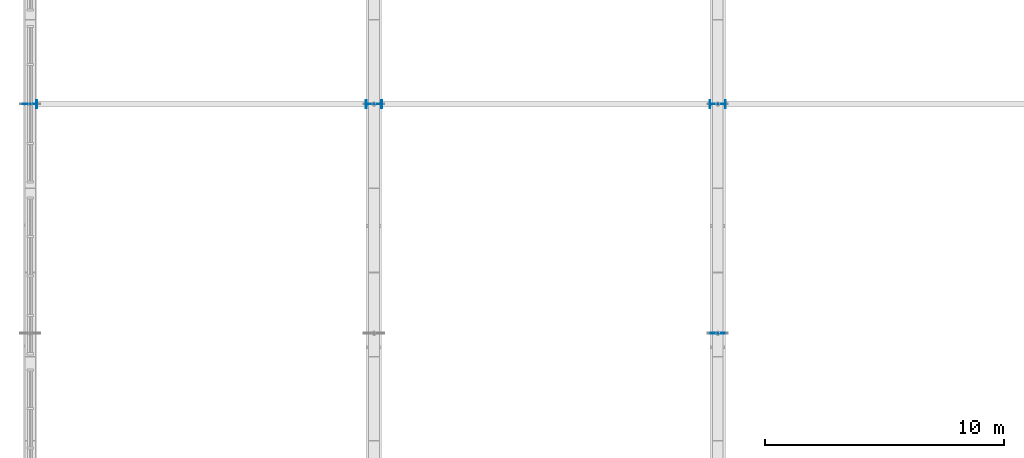
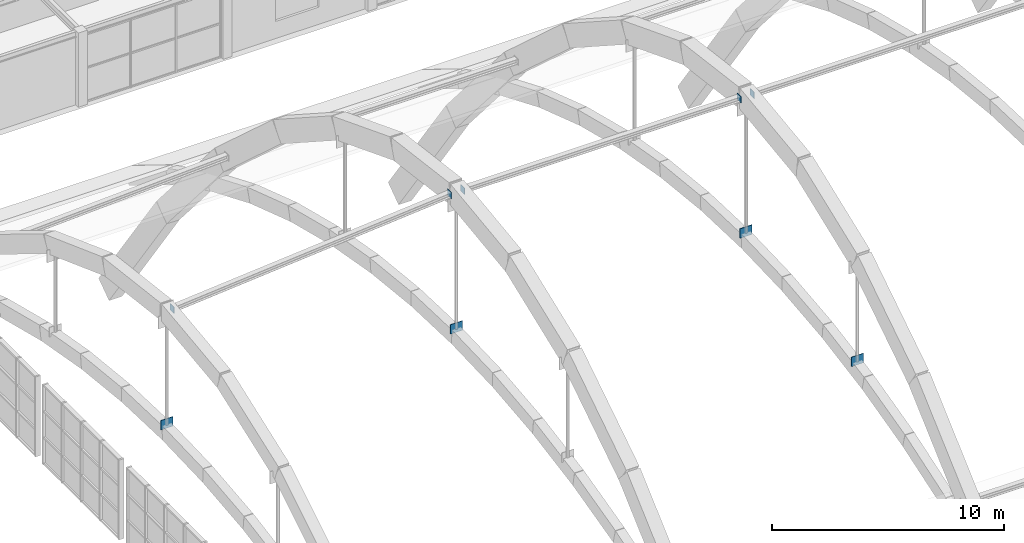
# One storey, part 47 of 64: 9 plates.
"""IFC4 building model written with IfcOpenShell, lengths in metres."""

from ifc_helpers import new_model, si_unit, direction, frame, origin, origin_2d, place, context, subcontext, project, spatial, rectangle, extrude, material, layer, layer_set, type_object, element, save


model = new_model("IFC4")

# Units and contexts
model_context = context("Model", 3, precision=1e-05, world=origin(), true_north=direction((0.0, 1.0)))
body_context = subcontext(model_context, "Body", "Model", "MODEL_VIEW")
ifc_project = project(units=[si_unit("LENGTHUNIT", "METRE"), si_unit("AREAUNIT", "SQUARE_METRE"), si_unit("VOLUMEUNIT", "CUBIC_METRE"), si_unit("PLANEANGLEUNIT", "RADIAN"), si_unit("MASSUNIT", "GRAM", prefix="KILO")], contexts=[model_context])

# Site, building, storey
site_placement = place(None, origin())
site = spatial("IfcSite", under=ifc_project, at=site_placement, CompositionType="ELEMENT")
building_placement = place(site_placement, origin())
building = spatial("IfcBuilding", under=site, at=building_placement, Name="Leyfeld Transit Interchange", CompositionType="ELEMENT")
storey_placement = place(building_placement, frame((0.0, 0.0, 9.60009765625)))
storey = spatial("IfcBuildingStorey", under=building, at=storey_placement, Name="L02", CompositionType="ELEMENT", Elevation=9.60009765625)

# Plates
ifc_material = material(Name="Steel S355J2", Category="steel")
ifc_layer_1 = layer(ifc_material, 0.02490234375, Name="Steel S355J2")
ifc_layer_set_1 = layer_set([ifc_layer_1], Name="Steel S355J2")
plate_type_1 = type_object("IfcPlateType", Name="PLT-CAP-25", PredefinedType="USERDEFINED", material=ifc_layer_set_1)
for number, where, z_axis, x_axis, name in (
    (1, (0.27490234375, 32.39990234375, 13.6298828125), (0.0, 0.0, 1.0), (0.0, 1.0, 0.0), "Arch Tie Chord West End Plate B1 T2"),
    (2, (14.074951171875, 32.39990234375, 14.830078125), (0.0, 0.0, 1.0), (0.0, 1.0, 0.0), "Arch Tie Chord East End Plate B1 T2"),
    (3, (14.72509765625, 32.39990234375, 14.830078125), (0.0, 0.0, 1.0), (0.0, 1.0, 0.0), "Arch Tie Chord West End Plate B2 T2"),
    (4, (28.47509765625, 32.39990234375, 14.830078125), (0.0, 0.0, 1.0), (0.0, 1.0, 0.0), "Arch Tie Chord East End Plate B2 T2"),
    (5, (29.125, 32.39990234375, 14.830078125), (0.0, 0.0, 1.0), (0.0, 1.0, 0.0), "Arch Tie Chord West End Plate B3 T2"),
):
    element("IfcPlate", number, at=place(storey_placement, frame(where, z_axis=z_axis, x_axis=x_axis)), inside=storey, type_object=plate_type_1, Name=name, ObjectType="FLANGE_PLATE", PredefinedType="USERDEFINED", context=body_context, shape_type="SweptSolid", body=[
        extrude(rectangle(XDim=0.340087890625, YDim=0.02490234375, at=origin_2d()), origin(), (0.0, 0.0, 1.0), 0.340087890625),
    ])
ifc_layer_2 = layer(ifc_material, 0.02490234375, Name="Steel S355J2")
ifc_layer_set_2 = layer_set([ifc_layer_2], Name="Steel S355J2")
plate_type_2 = type_object("IfcPlateType", Name="PLT-GUS-25", PredefinedType="SHEET", material=ifc_layer_set_2)
for number, where, z_axis, x_axis, name in (
    (6, (0.0, 32.39990234375, 7.615234375), (0.0, 0.0, 1.0), (1.0, 0.0, 0.0), "Hanger Lower Clevis Plate GP-W H4"),
    (7, (14.39990234375, 32.39990234375, 7.615234375), (0.0, 0.0, 1.0), (1.0, 0.0, 0.0), "Hanger Lower Clevis Plate AR-01 H4"),
    (8, (28.800048828125, 22.800048828125, 6.68505859375), (0.0, 0.0, 1.0), (1.0, 0.0, 0.0), "Hanger Lower Clevis Plate AR-02 H3"),
    (9, (28.800048828125, 32.39990234375, 7.615234375), (0.0, 0.0, 1.0), (1.0, 0.0, 0.0), "Hanger Lower Clevis Plate AR-02 H4"),
):
    element("IfcPlate", number, at=place(storey_placement, frame(where, z_axis=z_axis, x_axis=x_axis)), inside=storey, type_object=plate_type_2, Name=name, PredefinedType="SHEET", context=body_context, shape_type="SweptSolid", body=[
        extrude(rectangle(XDim=0.60009765625, YDim=0.02490234375, at=origin_2d()), origin(), (0.0, 0.0, 1.0), 0.5),
    ])

save(model, "model.ifc")
